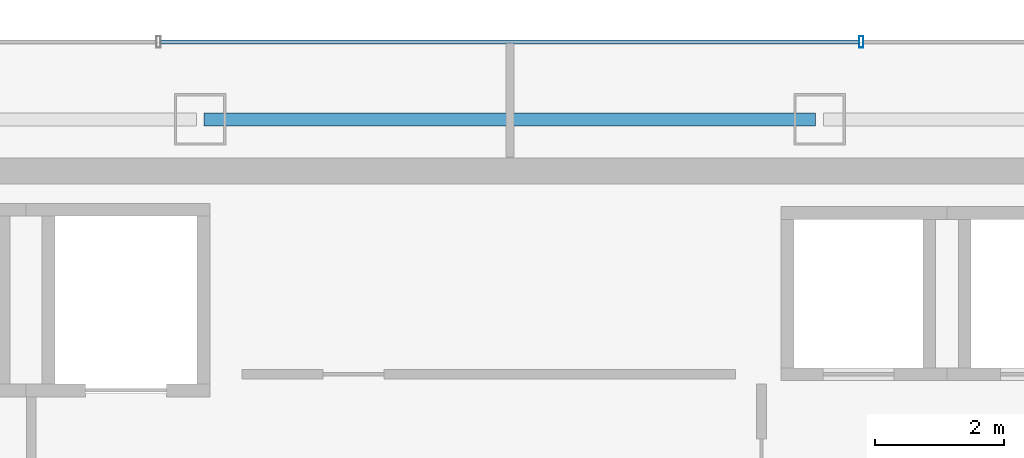
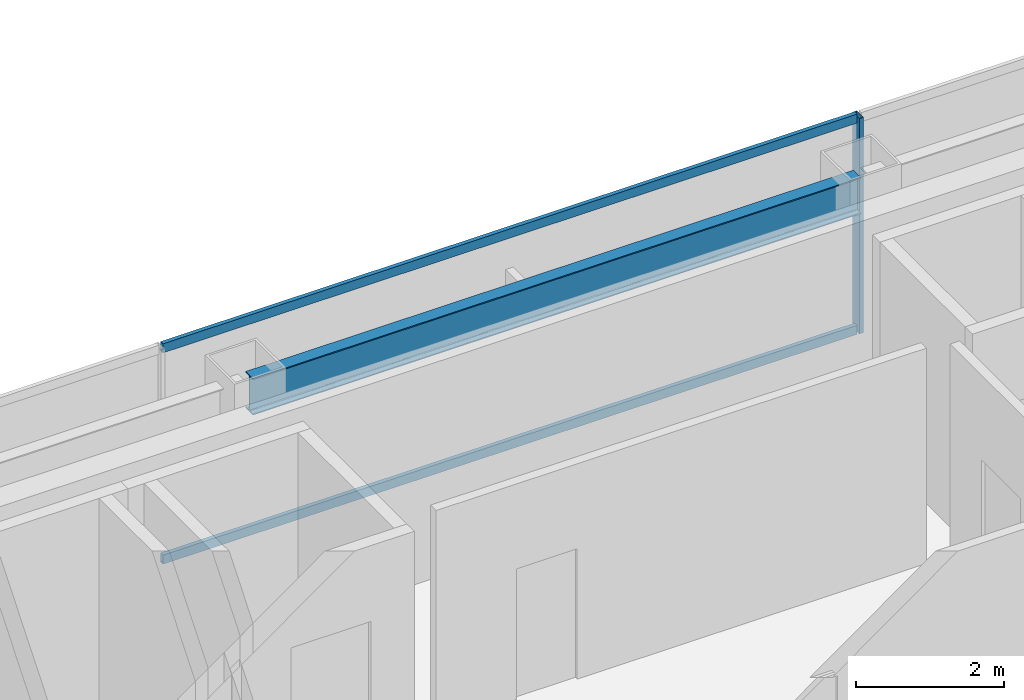
# One storey, part 15 of 28: 3 members, 1 beam, 1 element without a shape of its own.
"""IFC4 building model written with IfcOpenShell, lengths in metres."""

from ifc_helpers import new_model, si_unit, direction, frame, origin, origin_2d, place, context, subcontext, project, spatial, hollow_rectangle, i_section, extrude, material, material_profile, profile_set, type_object, element, aggregate, save


model = new_model("IFC4")

# Units and contexts
model_context = context("Model", 3, precision=1e-05, world=origin(), true_north=direction((0.0, 1.0)))
body_context = subcontext(model_context, "Body", "Model", "MODEL_VIEW")
ifc_project = project(units=[si_unit("LENGTHUNIT", "METRE"), si_unit("AREAUNIT", "SQUARE_METRE"), si_unit("VOLUMEUNIT", "CUBIC_METRE"), si_unit("PLANEANGLEUNIT", "RADIAN"), si_unit("MASSUNIT", "GRAM", prefix="KILO")], contexts=[model_context])

# Site, building, storey
site_placement = place(None, origin())
site = spatial("IfcSite", under=ifc_project, at=site_placement, CompositionType="ELEMENT")
building_placement = place(site_placement, origin())
building = spatial("IfcBuilding", under=site, at=building_placement, Name="Saevonmaru Cultural Tower", CompositionType="ELEMENT")
storey_placement = place(building_placement, frame((0.0, 0.0, 253.39990234375)))
storey = spatial("IfcBuildingStorey", under=building, at=storey_placement, Name="L59", CompositionType="ELEMENT", Elevation=253.39990234375)

# Beam
ifc_material_1 = material(Name="Steel SM355", Category="steel")
ifc_material_profile_1 = material_profile(ifc_material_1, i_section(OverallWidth=0.199951171875, OverallDepth=0.60009765625, WebThickness=0.010986328125, FlangeThickness=0.01708984375, FilletRadius=0.02197265625, at=origin_2d()), Name="H-600x200x11x17")
ifc_profile_set_1 = profile_set([ifc_material_profile_1], Name="Steel SM355")
beam_type = type_object("IfcBeamType", Name="BM-SP-H600", PredefinedType="SPANDREL", material=ifc_profile_set_1)
beam_placement = place(storey_placement, frame((25.260009765625, 54.800048828125, 3.25), z_axis=(1.0, 0.0, 0.0), x_axis=(0.0, 1.0, 0.0)))
element("IfcBeam", 1, at=beam_placement, inside=storey, type_object=beam_type, Name="L59 North Spine Girder 3", PredefinedType="SPANDREL", context=body_context, shape_type="SweptSolid", body=[
    extrude(i_section(OverallWidth=0.199951171875, OverallDepth=0.60009765625, WebThickness=0.010986328125, FlangeThickness=0.01708984375, FilletRadius=0.02197265625, at=origin_2d()), origin(), (0.0, 0.0, 1.0), 9.47998046875),
])

# Curtain wall, members
ifc_material_2 = material(Name="Satin Bronze Anodised Aluminium", Category="aluminium")
curtain_wall_type = type_object("IfcCurtainWallType", Name="CW-TYP-B", PredefinedType="NOTDEFINED", material=ifc_material_2)
curtain_wall_placement = place(storey_placement, origin())
curtain_wall = element("IfcCurtainWall", 2, at=curtain_wall_placement, inside=storey, type_object=curtain_wall_type, Name="L59 North Spine Unitised Curtain Wall E10B", PredefinedType="NOTDEFINED")
ifc_material_profile_2 = material_profile(ifc_material_2, hollow_rectangle(XDim=0.06494140625, YDim=0.179931640625, WallThickness=0.00390625, at=origin_2d()), Name="ALU-MULL-180x65x4")
ifc_profile_set_2 = profile_set([ifc_material_profile_2], Name="Satin Bronze Anodised Aluminium")
member_type_1 = type_object("IfcMemberType", Name="ML-CW-180x65", PredefinedType="MULLION", material=ifc_profile_set_2)
member_1_placement = place(storey_placement, frame((35.44677734375, 56.0, 0.0), z_axis=(0.0, 0.0, 1.0), x_axis=(-1.0, 0.0, 0.0)))
member_1 = element("IfcMember", 3, at=member_1_placement, type_object=member_type_1, Name="CW-TW-L59-E10B mullion 2", PredefinedType="MULLION", context=body_context, shape_type="SweptSolid", body=[
    extrude(hollow_rectangle(XDim=0.06494140625, YDim=0.179931640625, WallThickness=0.00390625, at=origin_2d()), origin(), (0.0, 0.0, 1.0), 3.550048828125),
])
ifc_material_profile_3 = material_profile(ifc_material_2, hollow_rectangle(XDim=0.06494140625, YDim=0.14990234375, WallThickness=0.00390625, at=origin_2d()), Name="ALU-TRAN-150x65x4")
ifc_profile_set_3 = profile_set([ifc_material_profile_3], Name="Satin Bronze Anodised Aluminium")
member_type_2 = type_object("IfcMemberType", Name="TR-CW-150x65", PredefinedType="USERDEFINED", material=ifc_profile_set_3)
member_2_placement = place(storey_placement, frame((35.4140625, 56.0, 0.03271484375), z_axis=(-1.0, 0.0, 0.0), x_axis=(0.0, -1.0, 0.0)))
member_2 = element("IfcMember", 4, at=member_2_placement, type_object=member_type_2, Name="CW-TW-L59-E10B transom 2.1", ObjectType="TRANSOM", PredefinedType="USERDEFINED", context=body_context, shape_type="SweptSolid", body=[
    extrude(hollow_rectangle(XDim=0.06494140625, YDim=0.14990234375, WallThickness=0.00390625, at=origin_2d()), origin(), (0.0, 0.0, 1.0), 10.828125),
])
member_3_placement = place(storey_placement, frame((35.4140625, 56.0, 3.517578125), z_axis=(-1.0, 0.0, 0.0), x_axis=(0.0, -1.0, 0.0)))
member_3 = element("IfcMember", 5, at=member_3_placement, type_object=member_type_2, Name="CW-TW-L59-E10B transom 2.2", ObjectType="TRANSOM", PredefinedType="USERDEFINED", context=body_context, shape_type="SweptSolid", body=[
    extrude(hollow_rectangle(XDim=0.06494140625, YDim=0.14990234375, WallThickness=0.00390625, at=origin_2d()), origin(), (0.0, 0.0, 1.0), 10.828125),
])
aggregate(curtain_wall, [member_1, member_2, member_3])

save(model, "model.ifc")
